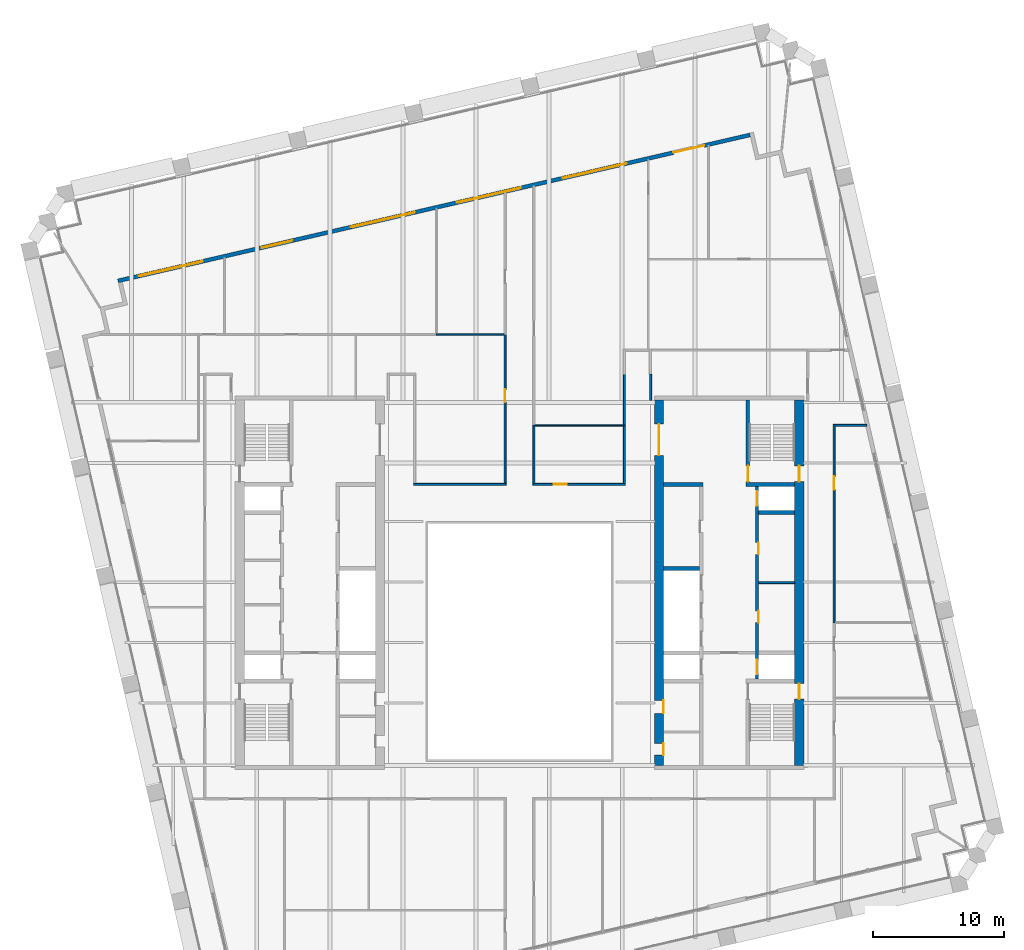
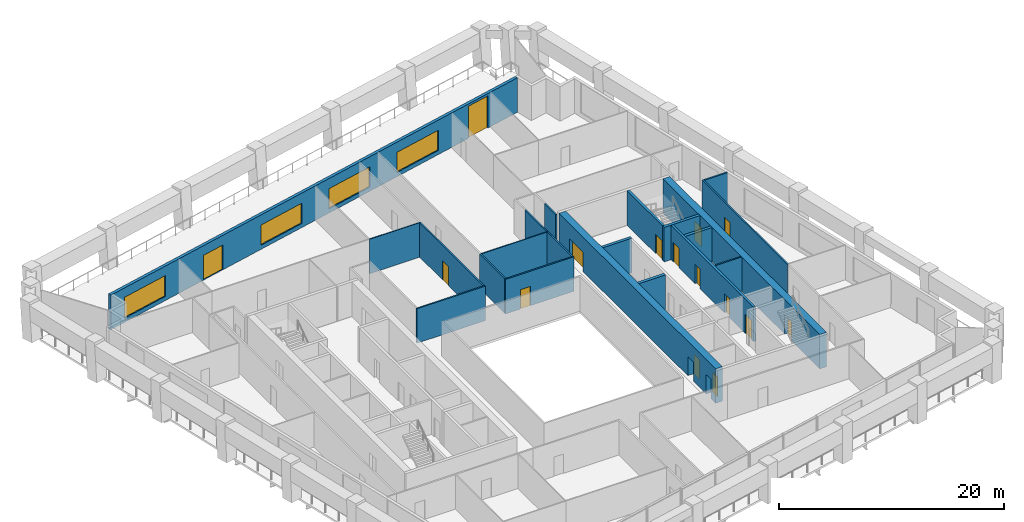
# One storey, part 10 of 14: 21 walls, 15 doors, 4 windows, 19 openings.
"""IFC4 building model written with IfcOpenShell, lengths in metres."""

from ifc_helpers import new_model, si_unit, direction, frame, frame_2d, origin, place, context, subcontext, project, spatial, rectangle, extrude, material, layer, layer_set, type_object, element, fill, save


model = new_model("IFC4")

# Units and contexts
model_context = context("Model", 3, precision=1e-05, world=origin(), true_north=direction((0.0, 1.0)))
body_context = subcontext(model_context, "Body", "Model", "MODEL_VIEW")
ifc_project = project(units=[si_unit("LENGTHUNIT", "METRE"), si_unit("AREAUNIT", "SQUARE_METRE"), si_unit("VOLUMEUNIT", "CUBIC_METRE"), si_unit("PLANEANGLEUNIT", "RADIAN"), si_unit("MASSUNIT", "GRAM", prefix="KILO")], contexts=[model_context])

# Site, building, storey
site_placement = place(None, origin())
site = spatial("IfcSite", under=ifc_project, at=site_placement, CompositionType="ELEMENT")
building_placement = place(site_placement, origin())
building = spatial("IfcBuilding", under=site, at=building_placement, Name="Ogive Exchange Tower", CompositionType="ELEMENT")
storey_placement = place(building_placement, frame((0.0, 0.0, 222.0)))
storey = spatial("IfcBuildingStorey", under=building, at=storey_placement, Name="L49", CompositionType="ELEMENT", Elevation=222.0)

# Walls
ifc_material_1 = material(Name="Gypsum board partition")
ifc_layer_1 = layer(ifc_material_1, 0.14990234375)
ifc_layer_set_1 = layer_set([ifc_layer_1], Name="Core room partition 150 gypsum")
wall_type_1 = type_object("IfcWallType", Name="Core room partition 150 gypsum", PredefinedType="PARTITIONING", material=ifc_layer_set_1)
wall_1_placement = place(storey_placement, frame((18.25, 11.5, 0.0), z_axis=(0.0, 0.0, 1.0), x_axis=(1.0, 0.0, 0.0)))
element("IfcWall", 1, at=wall_1_placement, inside=storey, type_object=wall_type_1, Name="E row A bay partition 1-1", PredefinedType="PARTITIONING", context=body_context, shape_type="SweptSolid", body=[
    extrude(rectangle(XDim=2.75, YDim=0.14990234375, at=frame_2d((1.375, 0.0))), origin(), (0.0, 0.0, 1.0), 3.75),
])
ifc_layer_2 = layer(ifc_material_1, 0.300048828125)
ifc_layer_set_2 = layer_set([ifc_layer_2], Name="Core room partition 300 gypsum")
wall_type_2 = type_object("IfcWallType", Name="Core room partition 300 gypsum", PredefinedType="PARTITIONING", material=ifc_layer_set_2)
wall_2_placement = place(storey_placement, frame((11.0, 19.0, 0.0), z_axis=(0.0, 0.0, 1.0), x_axis=(1.0, 0.0, 0.0)))
element("IfcWall", 2, at=wall_2_placement, inside=storey, type_object=wall_type_2, Name="E row B room end wall 7", PredefinedType="PARTITIONING", context=body_context, shape_type="SweptSolid", body=[
    extrude(rectangle(XDim=3.0, YDim=0.300048828125, at=frame_2d((1.5, 0.0))), origin(), (0.0, 0.0, 1.0), 3.75),
])
ifc_material_2 = material(Name="Fire partition EI 60 150")
ifc_layer_3 = layer(ifc_material_2, 0.14990234375)
ifc_layer_set_3 = layer_set([ifc_layer_3], Name="Fire partition EI 60 150")
wall_type_3 = type_object("IfcWallType", Name="Fire partition EI 60 150", PredefinedType="PARTITIONING", material=ifc_layer_set_3)
wall_3_placement = place(storey_placement, frame((-8.074951171875, 19.0, 0.0), z_axis=(0.0, 0.0, 1.0), x_axis=(1.0, 0.0, 0.0)))
element("IfcWall", 3, at=wall_3_placement, inside=storey, type_object=wall_type_3, Name="L49-PWL-026", PredefinedType="PARTITIONING", context=body_context, shape_type="SweptSolid", body=[
    extrude(rectangle(XDim=7.050048828125, YDim=0.14990234375, at=frame_2d((3.52490234375, 0.0))), origin(), (0.0, 0.0, 1.0), 3.75),
])

# Wall, opening, door
wall_4_placement = place(storey_placement, frame((-1.10009765625, 19.074951171875, 0.0), z_axis=(0.0, 0.0, 1.0), x_axis=(0.0, 1.0, 0.0)))
wall_4 = element("IfcWall", 4, at=wall_4_placement, inside=storey, type_object=wall_type_3, Name="L49-PWL-033", PredefinedType="PARTITIONING", context=body_context, shape_type="SweptSolid", body=[
    extrude(rectangle(XDim=11.39501953125, YDim=0.14990234375, at=frame_2d((5.697509765625, 0.0))), origin(), (0.0, 0.0, 1.0), 3.75),
])
opening_1_placement = place(wall_4_placement, frame((6.195068359375, 0.0, 0.0)))
opening_1 = element("IfcOpeningElement", 5, at=opening_1_placement, cuts=wall_4, Name="Opening L49-I05", PredefinedType="OPENING", context=body_context, shape_type="SweptSolid", body=[
    extrude(rectangle(XDim=1.0, YDim=2.10009765625, at=frame_2d((0.5, 1.050048828125))), frame((0.0, 0.0849609375, 0.0), z_axis=(0.0, -1.0, 0.0), x_axis=(1.0, 0.0, 0.0)), (0.0, 0.0, 1.0), 0.169921875),
])
ifc_material_3 = material(Name="Fire door FD 30S 1000 x 2100")
door_type_1 = type_object("IfcDoorType", Name="Fire door FD 30S 1000 x 2100", OperationType="NOTDEFINED", PredefinedType="DOOR", material=ifc_material_3)
door_1_placement = place(opening_1_placement, origin())
door_1 = element("IfcDoor", 6, at=door_1_placement, inside=storey, type_object=door_type_1, Name="L49-IDR-005", ObjectType="DT3", OperationType="SINGLE_SWING_LEFT", OverallHeight=2.10009765625, OverallWidth=1.0, PredefinedType="DOOR", context=body_context, shape_type="SweptSolid", body=[
    extrude(rectangle(XDim=1.0, YDim=2.10009765625, at=frame_2d((0.5, 1.050048828125))), frame((0.0, 0.02490234375, 0.0), z_axis=(0.0, -1.0, 0.0), x_axis=(1.0, 0.0, 0.0)), (0.0, 0.0, 1.0), 0.050048828125),
])
fill(opening_1, door_1)

wall_5_placement = place(storey_placement, frame((1.02490234375, 19.0, 0.0), z_axis=(0.0, 0.0, 1.0), x_axis=(1.0, 0.0, 0.0)))
wall_5 = element("IfcWall", 7, at=wall_5_placement, inside=storey, type_object=wall_type_3, Name="L49-PWL-037", PredefinedType="PARTITIONING", context=body_context, shape_type="SweptSolid", body=[
    extrude(rectangle(XDim=7.050048828125, YDim=0.14990234375, at=frame_2d((3.52490234375, 0.0))), origin(), (0.0, 0.0, 1.0), 3.75),
])
opening_2_placement = place(wall_5_placement, frame((1.574951171875, 0.0, 0.0)))
opening_2 = element("IfcOpeningElement", 8, at=opening_2_placement, cuts=wall_5, Name="Opening L49-I13", PredefinedType="OPENING", context=body_context, shape_type="SweptSolid", body=[
    extrude(rectangle(XDim=1.0, YDim=2.10009765625, at=frame_2d((0.5, 1.050048828125))), frame((0.0, 0.0849609375, 0.0), z_axis=(0.0, -1.0, 0.0), x_axis=(1.0, 0.0, 0.0)), (0.0, 0.0, 1.0), 0.169921875),
])
door_2_placement = place(opening_2_placement, origin())
door_2 = element("IfcDoor", 9, at=door_2_placement, inside=storey, type_object=door_type_1, Name="L49-IDR-013", ObjectType="DT3", OperationType="SINGLE_SWING_RIGHT", OverallHeight=2.10009765625, OverallWidth=1.0, PredefinedType="DOOR", context=body_context, shape_type="SweptSolid", body=[
    extrude(rectangle(XDim=1.0, YDim=2.10009765625, at=frame_2d((0.5, 1.050048828125))), frame((0.0, 0.02490234375, 0.0), z_axis=(0.0, -1.0, 0.0), x_axis=(1.0, 0.0, 0.0)), (0.0, 0.0, 1.0), 0.050048828125),
])
fill(opening_2, door_2)

# Walls
wall_6_placement = place(storey_placement, frame((1.10009765625, 23.489990234375, 0.0), z_axis=(0.0, 0.0, 1.0), x_axis=(0.0, -1.0, 0.0)))
element("IfcWall", 10, at=wall_6_placement, inside=storey, type_object=wall_type_3, Name="L49-PWL-038", PredefinedType="PARTITIONING", context=body_context, shape_type="SweptSolid", body=[
    extrude(rectangle(XDim=4.4150390625, YDim=0.14990234375, at=frame_2d((2.20751953125, 0.0))), origin(), (0.0, 0.0, 1.0), 3.75),
])
wall_7_placement = place(storey_placement, frame((8.0, 19.074951171875, 0.0), z_axis=(0.0, 0.0, 1.0), x_axis=(0.0, 1.0, 0.0)))
element("IfcWall", 11, at=wall_7_placement, inside=storey, type_object=wall_type_3, Name="L49-PWL-043", PredefinedType="PARTITIONING", context=body_context, shape_type="SweptSolid", body=[
    extrude(rectangle(XDim=4.364990234375, YDim=0.14990234375, at=frame_2d((2.1826171875, 0.0))), origin(), (0.0, 0.0, 1.0), 3.75),
])
wall_8_placement = place(storey_placement, frame((8.0, 23.5400390625, 0.0), z_axis=(0.0, 0.0, 1.0), x_axis=(0.0, 1.0, 0.0)))
element("IfcWall", 12, at=wall_8_placement, inside=storey, type_object=wall_type_3, Name="L49-PWL-044", PredefinedType="PARTITIONING", context=body_context, shape_type="SweptSolid", body=[
    extrude(rectangle(XDim=3.85986328125, YDim=0.14990234375, at=frame_2d((1.929931640625, 0.0))), origin(), (0.0, 0.0, 1.0), 3.75),
])
wall_9_placement = place(storey_placement, frame((10.0, 27.39990234375, 0.0), z_axis=(0.0, 0.0, 1.0), x_axis=(0.0, -1.0, 0.0)))
element("IfcWall", 13, at=wall_9_placement, inside=storey, type_object=wall_type_3, Name="L49-PWL-053", PredefinedType="PARTITIONING", context=body_context, shape_type="SweptSolid", body=[
    extrude(rectangle(XDim=2.0, YDim=0.14990234375, at=frame_2d((1.0, 0.0))), origin(), (0.0, 0.0, 1.0), 3.75),
])

# Wall, opening, door
wall_10_placement = place(storey_placement, frame((24.0, 23.56494140625, 0.0), z_axis=(0.0, 0.0, 1.0), x_axis=(0.0, -1.0, 0.0)))
wall_10 = element("IfcWall", 14, at=wall_10_placement, inside=storey, type_object=wall_type_3, Name="L49-PWL-064", PredefinedType="PARTITIONING", context=body_context, shape_type="SweptSolid", body=[
    extrude(rectangle(XDim=15.1650390625, YDim=0.14990234375, at=frame_2d((7.58251953125, 0.0))), origin(), (0.0, 0.0, 1.0), 3.75),
])
opening_3_placement = place(wall_10_placement, frame((3.965087890625, 0.0, 0.0)))
opening_3 = element("IfcOpeningElement", 15, at=opening_3_placement, cuts=wall_10, Name="Opening L49-I15", PredefinedType="OPENING", context=body_context, shape_type="SweptSolid", body=[
    extrude(rectangle(XDim=1.0, YDim=2.10009765625, at=frame_2d((0.5, 1.050048828125))), frame((0.0, 0.0849609375, 0.0), z_axis=(0.0, -1.0, 0.0), x_axis=(1.0, 0.0, 0.0)), (0.0, 0.0, 1.0), 0.169921875),
])
door_3_placement = place(opening_3_placement, origin())
door_3 = element("IfcDoor", 16, at=door_3_placement, inside=storey, type_object=door_type_1, Name="L49-IDR-015", ObjectType="DT3", OperationType="SINGLE_SWING_RIGHT", OverallHeight=2.10009765625, OverallWidth=1.0, PredefinedType="DOOR", context=body_context, shape_type="SweptSolid", body=[
    extrude(rectangle(XDim=1.0, YDim=2.10009765625, at=frame_2d((0.5, 1.050048828125))), frame((0.0, 0.02490234375, 0.0), z_axis=(0.0, -1.0, 0.0), x_axis=(1.0, 0.0, 0.0)), (0.0, 0.0, 1.0), 0.050048828125),
])
fill(opening_3, door_3)

# Wall
wall_11_placement = place(storey_placement, frame((26.487060546875, 23.489990234375, 0.0), z_axis=(0.0, 0.0, 1.0), x_axis=(-1.0, 0.0, 0.0)))
element("IfcWall", 17, at=wall_11_placement, inside=storey, type_object=wall_type_3, Name="L49-PWL-065", PredefinedType="PARTITIONING", context=body_context, shape_type="SweptSolid", body=[
    extrude(rectangle(XDim=2.412109375, YDim=0.14990234375, at=frame_2d((1.2060546875, 0.0))), origin(), (0.0, 0.0, 1.0), 3.75),
])

# Wall, openings, windows, doors
ifc_material_4 = material(Name="Precast concrete C40/50", Category="concrete")
ifc_layer_4 = layer(ifc_material_4, 0.300048828125)
ifc_layer_set_4 = layer_set([ifc_layer_4], Name="Limestone-faced wall 300")
wall_type_4 = type_object("IfcWallType", Name="Limestone-faced wall 300", PredefinedType="STANDARD", material=ifc_layer_set_4)
wall_12_placement = place(storey_placement, frame((17.592041015625, 45.6572265625, 0.0), z_axis=(0.0, 0.0, 1.0), x_axis=(-0.974370243697, -0.224950279389, 0.0)))
wall_12 = element("IfcWall", 18, at=wall_12_placement, inside=storey, type_object=wall_type_4, Name="External wall N4", PredefinedType="STANDARD", context=body_context, shape_type="SweptSolid", body=[
    extrude(rectangle(XDim=49.499755859375, YDim=0.300048828125, at=frame_2d((24.75, 0.0))), origin(), (0.0, 0.0, 1.0), 3.75),
])
opening_4_placement = place(wall_12_placement, frame((3.60009765625, 0.0, 0.0)))
opening_4 = element("IfcOpeningElement", 19, at=opening_4_placement, cuts=wall_12, Name="Opening D1", PredefinedType="OPENING", context=body_context, shape_type="SweptSolid", body=[
    extrude(rectangle(XDim=2.39990234375, YDim=3.5, at=frame_2d((1.199951171875, 1.75))), frame((0.0, 0.159912109375, 0.0), z_axis=(0.0, -1.0, 0.0), x_axis=(1.0, 0.0, 0.0)), (0.0, 0.0, 1.0), 0.320068359375),
])
opening_5_placement = place(wall_12_placement, frame((9.64990234375, 0.0, 0.449951171875)))
opening_5 = element("IfcOpeningElement", 20, at=opening_5_placement, cuts=wall_12, Name="Opening W2O", PredefinedType="OPENING", context=body_context, shape_type="SweptSolid", body=[
    extrude(rectangle(XDim=5.0, YDim=2.199951171875, at=frame_2d((2.5, 1.10009765625))), frame((0.0, 0.159912109375, 0.0), z_axis=(0.0, -1.0, 0.0), x_axis=(1.0, 0.0, 0.0)), (0.0, 0.0, 1.0), 0.320068359375),
])
opening_6_placement = place(wall_12_placement, frame((17.949951171875, 0.0, 0.449951171875)))
opening_6 = element("IfcOpeningElement", 21, at=opening_6_placement, cuts=wall_12, Name="Opening W2O", PredefinedType="OPENING", context=body_context, shape_type="SweptSolid", body=[
    extrude(rectangle(XDim=5.0, YDim=2.199951171875, at=frame_2d((2.5, 1.10009765625))), frame((0.0, 0.159912109375, 0.0), z_axis=(0.0, -1.0, 0.0), x_axis=(1.0, 0.0, 0.0)), (0.0, 0.0, 1.0), 0.320068359375),
])
opening_7_placement = place(wall_12_placement, frame((26.25, 0.0, 0.449951171875)))
opening_7 = element("IfcOpeningElement", 22, at=opening_7_placement, cuts=wall_12, Name="Opening W2O", PredefinedType="OPENING", context=body_context, shape_type="SweptSolid", body=[
    extrude(rectangle(XDim=5.0, YDim=2.199951171875, at=frame_2d((2.5, 1.10009765625))), frame((0.0, 0.159912109375, 0.0), z_axis=(0.0, -1.0, 0.0), x_axis=(1.0, 0.0, 0.0)), (0.0, 0.0, 1.0), 0.320068359375),
])
opening_8_placement = place(wall_12_placement, frame((35.85009765625, 0.0, 0.0)))
opening_8 = element("IfcOpeningElement", 23, at=opening_8_placement, cuts=wall_12, Name="Opening D1S", PredefinedType="OPENING", context=body_context, shape_type="SweptSolid", body=[
    extrude(rectangle(XDim=2.39990234375, YDim=2.699951171875, at=frame_2d((1.199951171875, 1.35009765625))), frame((0.0, 0.159912109375, 0.0), z_axis=(0.0, -1.0, 0.0), x_axis=(1.0, 0.0, 0.0)), (0.0, 0.0, 1.0), 0.320068359375),
])
opening_9_placement = place(wall_12_placement, frame((42.85009765625, 0.0, 0.449951171875)))
opening_9 = element("IfcOpeningElement", 24, at=opening_9_placement, cuts=wall_12, Name="Opening W2N", PredefinedType="OPENING", context=body_context, shape_type="SweptSolid", body=[
    extrude(rectangle(XDim=5.0, YDim=2.27490234375, at=frame_2d((2.5, 1.137451171875))), frame((0.0, 0.159912109375, 0.0), z_axis=(0.0, -1.0, 0.0), x_axis=(1.0, 0.0, 0.0)), (0.0, 0.0, 1.0), 0.320068359375),
])
ifc_material_5 = material(Name="Clear glass in bronze frame", Category="glass")
window_type_1 = type_object("IfcWindowType", Name="Executive lancet window 5000 x 2200", PartitioningType="DOUBLE_PANEL_VERTICAL", PredefinedType="WINDOW", material=ifc_material_5)
window_1_placement = place(opening_5_placement, origin())
window_1 = element("IfcWindow", 25, at=window_1_placement, inside=storey, type_object=window_type_1, Name="Window N01", OverallHeight=2.199951171875, OverallWidth=5.0, PartitioningType="DOUBLE_PANEL_VERTICAL", PredefinedType="WINDOW", context=body_context, shape_type="SweptSolid", body=[
    extrude(rectangle(XDim=5.0, YDim=2.199951171875, at=frame_2d((2.5, 1.10009765625))), frame((0.0, 0.030029296875, 0.0), z_axis=(0.0, -1.0, 0.0), x_axis=(1.0, 0.0, 0.0)), (0.0, 0.0, 1.0), 0.06005859375),
])
fill(opening_5, window_1)
window_2_placement = place(opening_6_placement, origin())
window_2 = element("IfcWindow", 26, at=window_2_placement, inside=storey, type_object=window_type_1, Name="Window N02", OverallHeight=2.199951171875, OverallWidth=5.0, PartitioningType="DOUBLE_PANEL_VERTICAL", PredefinedType="WINDOW", context=body_context, shape_type="SweptSolid", body=[
    extrude(rectangle(XDim=5.0, YDim=2.199951171875, at=frame_2d((2.5, 1.10009765625))), frame((0.0, 0.030029296875, 0.0), z_axis=(0.0, -1.0, 0.0), x_axis=(1.0, 0.0, 0.0)), (0.0, 0.0, 1.0), 0.06005859375),
])
fill(opening_6, window_2)
window_3_placement = place(opening_7_placement, origin())
window_3 = element("IfcWindow", 27, at=window_3_placement, inside=storey, type_object=window_type_1, Name="Window N03", OverallHeight=2.199951171875, OverallWidth=5.0, PartitioningType="DOUBLE_PANEL_VERTICAL", PredefinedType="WINDOW", context=body_context, shape_type="SweptSolid", body=[
    extrude(rectangle(XDim=5.0, YDim=2.199951171875, at=frame_2d((2.5, 1.10009765625))), frame((0.0, 0.030029296875, 0.0), z_axis=(0.0, -1.0, 0.0), x_axis=(1.0, 0.0, 0.0)), (0.0, 0.0, 1.0), 0.06005859375),
])
fill(opening_7, window_3)
window_type_2 = type_object("IfcWindowType", Name="Executive lancet window 5000 x 2275", PartitioningType="DOUBLE_PANEL_VERTICAL", PredefinedType="WINDOW", material=ifc_material_5)
window_4_placement = place(opening_9_placement, origin())
window_4 = element("IfcWindow", 28, at=window_4_placement, inside=storey, type_object=window_type_2, Name="Window N05", OverallHeight=2.27490234375, OverallWidth=5.0, PartitioningType="DOUBLE_PANEL_VERTICAL", PredefinedType="WINDOW", context=body_context, shape_type="SweptSolid", body=[
    extrude(rectangle(XDim=5.0, YDim=2.27490234375, at=frame_2d((2.5, 1.137451171875))), frame((0.0, 0.030029296875, 0.0), z_axis=(0.0, -1.0, 0.0), x_axis=(1.0, 0.0, 0.0)), (0.0, 0.0, 1.0), 0.06005859375),
])
fill(opening_9, window_4)
door_type_2 = type_object("IfcDoorType", Name="Sliding loggia door 2400 x 2700", OperationType="DOUBLE_DOOR_SLIDING", PredefinedType="DOOR", material=ifc_material_5)
door_4_placement = place(opening_8_placement, origin())
door_4 = element("IfcDoor", 29, at=door_4_placement, inside=storey, type_object=door_type_2, Name="Loggia door N04", OperationType="DOUBLE_DOOR_SLIDING", OverallHeight=2.699951171875, OverallWidth=2.39990234375, PredefinedType="DOOR", context=body_context, shape_type="SweptSolid", body=[
    extrude(rectangle(XDim=2.39990234375, YDim=2.699951171875, at=frame_2d((1.199951171875, 1.35009765625))), frame((0.0, 0.02490234375, 0.0), z_axis=(0.0, -1.0, 0.0), x_axis=(1.0, 0.0, 0.0)), (0.0, 0.0, 1.0), 0.050048828125),
])
fill(opening_8, door_4)
door_type_3 = type_object("IfcDoorType", Name="Sliding loggia door 2400 x 3500", OperationType="DOUBLE_DOOR_SLIDING", PredefinedType="DOOR", material=ifc_material_5)
door_5_placement = place(opening_4_placement, origin())
door_5 = element("IfcDoor", 30, at=door_5_placement, inside=storey, type_object=door_type_3, Name="Loggia door N00", OperationType="DOUBLE_DOOR_SLIDING", OverallHeight=3.5, OverallWidth=2.39990234375, PredefinedType="DOOR", context=body_context, shape_type="SweptSolid", body=[
    extrude(rectangle(XDim=2.39990234375, YDim=3.5, at=frame_2d((1.199951171875, 1.75))), frame((0.0, 0.02490234375, 0.0), z_axis=(0.0, -1.0, 0.0), x_axis=(1.0, 0.0, 0.0)), (0.0, 0.0, 1.0), 0.050048828125),
])
fill(opening_4, door_5)

# Walls
ifc_material_6 = material(Name="Partition 100 gypsum")
ifc_layer_5 = layer(ifc_material_6, 0.10009765625)
ifc_layer_set_5 = layer_set([ifc_layer_5], Name="Partition 100 gypsum")
wall_type_5 = type_object("IfcWallType", Name="Partition 100 gypsum", PredefinedType="PARTITIONING", material=ifc_layer_set_5)
wall_13_placement = place(storey_placement, frame((-1.175048828125, 30.419921875, 0.0), z_axis=(0.0, 0.0, 1.0), x_axis=(-1.0, 0.0, 0.0)))
element("IfcWall", 31, at=wall_13_placement, inside=storey, type_object=wall_type_5, Name="L49-PWL-034", PredefinedType="PARTITIONING", context=body_context, shape_type="SweptSolid", body=[
    extrude(rectangle(XDim=5.1650390625, YDim=0.10009765625, at=frame_2d((2.58251953125, 0.0))), origin(), (0.0, 0.0, 1.0), 3.75),
])
wall_14_placement = place(storey_placement, frame((1.175048828125, 23.489990234375, 0.0), z_axis=(0.0, 0.0, 1.0), x_axis=(1.0, 0.0, 0.0)))
element("IfcWall", 32, at=wall_14_placement, inside=storey, type_object=wall_type_5, Name="L49-PWL-039", PredefinedType="PARTITIONING", context=body_context, shape_type="SweptSolid", body=[
    extrude(rectangle(XDim=6.89990234375, YDim=0.10009765625, at=frame_2d((3.449951171875, 0.0))), origin(), (0.0, 0.0, 1.0), 3.75),
])

# Wall, opening, door
ifc_material_7 = material(Name="Concrete C70/85", Category="concrete")
ifc_layer_6 = layer(ifc_material_7, 0.25)
ifc_layer_set_6 = layer_set([ifc_layer_6], Name="RC core wall 250 C70/85")
wall_type_6 = type_object("IfcWallType", Name="RC core wall 250 C70/85", PredefinedType="SHEAR", material=ifc_layer_set_6)
wall_15_placement = place(storey_placement, frame((17.425048828125, 19.14990234375, 0.0), z_axis=(0.0, 0.0, 1.0), x_axis=(0.0, 1.0, 0.0)))
wall_15 = element("IfcWall", 33, at=wall_15_placement, inside=storey, type_object=wall_type_6, Name="E stair N front wall", PredefinedType="SHEAR", context=body_context, shape_type="SweptSolid", body=[
    extrude(rectangle(XDim=6.300048828125, YDim=0.25, at=frame_2d((3.14990234375, 0.0))), origin(), (0.0, 0.0, 1.0), 3.75),
])
opening_10_placement = place(wall_15_placement, frame((0.050048828125, 0.0, 0.0)))
opening_10 = element("IfcOpeningElement", 34, at=opening_10_placement, cuts=wall_15, Name="Opening L49-C32", PredefinedType="OPENING", context=body_context, shape_type="SweptSolid", body=[
    extrude(rectangle(XDim=1.199951171875, YDim=2.10009765625, at=frame_2d((0.60009765625, 1.050048828125))), frame((0.0, 0.135009765625, 0.0), z_axis=(0.0, -1.0, 0.0), x_axis=(1.0, 0.0, 0.0)), (0.0, 0.0, 1.0), 0.27001953125),
])
ifc_material_8 = material(Name="Steel fire door", Category="steel")
door_type_4 = type_object("IfcDoorType", Name="Stair door FD90 1200 x 2100", OperationType="NOTDEFINED", PredefinedType="DOOR", material=ifc_material_8)
door_6_placement = place(opening_10_placement, frame((1.199951171875, 0.0, 0.0), z_axis=(0.0, 0.0, 1.0), x_axis=(-1.0, 0.0, 0.0)))
door_6 = element("IfcDoor", 35, at=door_6_placement, inside=storey, type_object=door_type_4, Name="Stair door", ObjectType="CD5", OperationType="SINGLE_SWING_LEFT", OverallHeight=2.10009765625, OverallWidth=1.199951171875, PredefinedType="DOOR", context=body_context, shape_type="SweptSolid", body=[
    extrude(rectangle(XDim=1.199951171875, YDim=2.10009765625, at=frame_2d((0.60009765625, 1.050048828125))), frame((0.0, 0.02490234375, 0.0), z_axis=(0.0, -1.0, 0.0), x_axis=(1.0, 0.0, 0.0)), (0.0, 0.0, 1.0), 0.050048828125),
])
fill(opening_10, door_6)

# Wall, openings, doors
wall_16_placement = place(storey_placement, frame((18.125, 4.14990234375, 0.0), z_axis=(0.0, 0.0, 1.0), x_axis=(0.0, 1.0, 0.0)))
wall_16 = element("IfcWall", 36, at=wall_16_placement, inside=storey, type_object=wall_type_6, Name="E row A front wall", PredefinedType="SHEAR", context=body_context, shape_type="SweptSolid", body=[
    extrude(rectangle(XDim=14.7001953125, YDim=0.25, at=frame_2d((7.35009765625, 0.0))), origin(), (0.0, 0.0, 1.0), 3.75),
])
opening_11_placement = place(wall_16_placement, frame((4.29638671875, 0.0, 0.0)))
opening_11 = element("IfcOpeningElement", 37, at=opening_11_placement, cuts=wall_16, Name="Opening L49-C19", PredefinedType="OPENING", context=body_context, shape_type="SweptSolid", body=[
    extrude(rectangle(XDim=0.89990234375, YDim=2.10009765625, at=frame_2d((0.449951171875, 1.050048828125))), frame((0.0, 0.135009765625, 0.0), z_axis=(0.0, -1.0, 0.0), x_axis=(1.0, 0.0, 0.0)), (0.0, 0.0, 1.0), 0.27001953125),
])
opening_12_placement = place(wall_16_placement, frame((9.503662109375, 0.0, 0.0)))
opening_12 = element("IfcOpeningElement", 38, at=opening_12_placement, cuts=wall_16, Name="Opening L49-C20", PredefinedType="OPENING", context=body_context, shape_type="SweptSolid", body=[
    extrude(rectangle(XDim=0.89990234375, YDim=2.10009765625, at=frame_2d((0.449951171875, 1.050048828125))), frame((0.0, 0.135009765625, 0.0), z_axis=(0.0, -1.0, 0.0), x_axis=(1.0, 0.0, 0.0)), (0.0, 0.0, 1.0), 0.27001953125),
])
opening_13_placement = place(wall_16_placement, frame((0.371337890625, 0.0, 0.0)))
opening_13 = element("IfcOpeningElement", 39, at=opening_13_placement, cuts=wall_16, Name="Opening L49-C21", PredefinedType="OPENING", context=body_context, shape_type="SweptSolid", body=[
    extrude(rectangle(XDim=1.10009765625, YDim=2.10009765625, at=frame_2d((0.550048828125, 1.050048828125))), frame((0.0, 0.135009765625, 0.0), z_axis=(0.0, -1.0, 0.0), x_axis=(1.0, 0.0, 0.0)), (0.0, 0.0, 1.0), 0.27001953125),
])
opening_14_placement = place(wall_16_placement, frame((13.228515625, 0.0, 0.0)))
opening_14 = element("IfcOpeningElement", 40, at=opening_14_placement, cuts=wall_16, Name="Opening L49-C22", PredefinedType="OPENING", context=body_context, shape_type="SweptSolid", body=[
    extrude(rectangle(XDim=1.10009765625, YDim=2.10009765625, at=frame_2d((0.550048828125, 1.050048828125))), frame((0.0, 0.135009765625, 0.0), z_axis=(0.0, -1.0, 0.0), x_axis=(1.0, 0.0, 0.0)), (0.0, 0.0, 1.0), 0.27001953125),
])
ifc_material_9 = material(Name="Stainless steel", Category="steel")
door_type_5 = type_object("IfcDoorType", Name="Lift landing door FD90 1100 x 2100", OperationType="SLIDING_TO_LEFT", PredefinedType="DOOR", material=ifc_material_9)
door_7_placement = place(opening_13_placement, origin())
door_7 = element("IfcDoor", 41, at=door_7_placement, inside=storey, type_object=door_type_5, Name="Lift landing door FF2", ObjectType="LD", OperationType="SLIDING_TO_LEFT", OverallHeight=2.10009765625, OverallWidth=1.10009765625, PredefinedType="DOOR", context=body_context, shape_type="SweptSolid", body=[
    extrude(rectangle(XDim=1.10009765625, YDim=2.10009765625, at=frame_2d((0.550048828125, 1.050048828125))), frame((0.0, 0.02490234375, 0.0), z_axis=(0.0, -1.0, 0.0), x_axis=(1.0, 0.0, 0.0)), (0.0, 0.0, 1.0), 0.050048828125),
])
fill(opening_13, door_7)
door_8_placement = place(opening_14_placement, origin())
door_8 = element("IfcDoor", 42, at=door_8_placement, inside=storey, type_object=door_type_5, Name="Lift landing door E-SH2", ObjectType="LD", OperationType="SLIDING_TO_LEFT", OverallHeight=2.10009765625, OverallWidth=1.10009765625, PredefinedType="DOOR", context=body_context, shape_type="SweptSolid", body=[
    extrude(rectangle(XDim=1.10009765625, YDim=2.10009765625, at=frame_2d((0.550048828125, 1.050048828125))), frame((0.0, 0.02490234375, 0.0), z_axis=(0.0, -1.0, 0.0), x_axis=(1.0, 0.0, 0.0)), (0.0, 0.0, 1.0), 0.050048828125),
])
fill(opening_14, door_8)
door_type_6 = type_object("IfcDoorType", Name="Riser door FD60 900 x 2100", OperationType="NOTDEFINED", PredefinedType="DOOR", material=ifc_material_8)
door_9_placement = place(opening_11_placement, frame((0.89990234375, -0.2001953125, 0.0), z_axis=(0.0, 0.0, 1.0), x_axis=(-1.0, 0.0, 0.0)))
door_9 = element("IfcDoor", 43, at=door_9_placement, inside=storey, type_object=door_type_6, Name="Riser door", ObjectType="CD2", OperationType="SINGLE_SWING_RIGHT", OverallHeight=2.10009765625, OverallWidth=0.89990234375, PredefinedType="DOOR", context=body_context, shape_type="SweptSolid", body=[
    extrude(rectangle(XDim=0.89990234375, YDim=2.10009765625, at=frame_2d((0.449951171875, 1.050048828125))), frame((0.0, -0.0751953125, 0.0), z_axis=(0.0, -1.0, 0.0), x_axis=(1.0, 0.0, 0.0)), (0.0, 0.0, 1.0), 0.050048828125),
])
fill(opening_11, door_9)
door_10_placement = place(opening_12_placement, frame((0.89990234375, -0.2001953125, 0.0), z_axis=(0.0, 0.0, 1.0), x_axis=(-1.0, 0.0, 0.0)))
door_10 = element("IfcDoor", 44, at=door_10_placement, inside=storey, type_object=door_type_6, Name="Riser door", ObjectType="CD2", OperationType="SINGLE_SWING_LEFT", OverallHeight=2.10009765625, OverallWidth=0.89990234375, PredefinedType="DOOR", context=body_context, shape_type="SweptSolid", body=[
    extrude(rectangle(XDim=0.89990234375, YDim=2.10009765625, at=frame_2d((0.449951171875, 1.050048828125))), frame((0.0, -0.0751953125, 0.0), z_axis=(0.0, -1.0, 0.0), x_axis=(1.0, 0.0, 0.0)), (0.0, 0.0, 1.0), 0.050048828125),
])
fill(opening_12, door_10)

# Walls
ifc_layer_7 = layer(ifc_material_7, 0.300048828125)
ifc_layer_set_7 = layer_set([ifc_layer_7], Name="RC core wall 300 C70/85")
wall_type_7 = type_object("IfcWallType", Name="RC core wall 300 C70/85", PredefinedType="SHEAR", material=ifc_layer_set_7)
wall_17_placement = place(storey_placement, frame((17.300048828125, 19.0, 0.0), z_axis=(0.0, 0.0, 1.0), x_axis=(1.0, 0.0, 0.0)))
element("IfcWall", 45, at=wall_17_placement, inside=storey, type_object=wall_type_7, Name="E stair N south wall", PredefinedType="SHEAR", context=body_context, shape_type="SweptSolid", body=[
    extrude(rectangle(XDim=3.699951171875, YDim=0.300048828125, at=frame_2d((1.85009765625, 0.0))), origin(), (0.0, 0.0, 1.0), 3.75),
])
for number, where, z_axis, x_axis, name in (
    (46, (18.25, 16.857177734375, 0.0), (0.0, 0.0, 1.0), (1.0, 0.0, 0.0), "E row A divider 6"),
    (47, (11.0, 12.5712890625, 0.0), (0.0, 0.0, 1.0), (1.0, 0.0, 0.0), "E row B divider 4"),
):
    element("IfcWall", number, at=place(storey_placement, frame(where, z_axis=z_axis, x_axis=x_axis)), inside=storey, type_object=wall_type_7, Name=name, PredefinedType="SHEAR", context=body_context, shape_type="SweptSolid", body=[
        extrude(rectangle(XDim=2.75, YDim=0.300048828125, at=frame_2d((1.375, 0.0))), origin(), (0.0, 0.0, 1.0), 3.75),
    ])

# Wall, openings, doors
ifc_layer_8 = layer(ifc_material_7, 0.699951171875)
ifc_layer_set_8 = layer_set([ifc_layer_8], Name="RC core wall 700 C70/85")
wall_type_8 = type_object("IfcWallType", Name="RC core wall 700 C70/85", PredefinedType="SHEAR", material=ifc_layer_set_8)
wall_18_placement = place(storey_placement, frame((21.35009765625, -2.449951171875, 0.0), z_axis=(0.0, 0.0, 1.0), x_axis=(0.0, 1.0, 0.0)))
wall_18 = element("IfcWall", 48, at=wall_18_placement, inside=storey, type_object=wall_type_8, Name="E outer wall", PredefinedType="SHEAR", context=body_context, shape_type="SweptSolid", body=[
    extrude(rectangle(XDim=27.89990234375, YDim=0.699951171875, at=frame_2d((13.949951171875, 0.0))), origin(), (0.0, 0.0, 1.0), 3.75),
])
opening_15_placement = place(wall_18_placement, frame((5.050048828125, 0.0, 0.0)))
opening_15 = element("IfcOpeningElement", 49, at=opening_15_placement, cuts=wall_18, Name="Opening L49-C31", PredefinedType="OPENING", context=body_context, shape_type="SweptSolid", body=[
    extrude(rectangle(XDim=1.199951171875, YDim=2.10009765625, at=frame_2d((0.60009765625, 1.050048828125))), frame((0.0, 0.35986328125, 0.0), z_axis=(0.0, -1.0, 0.0), x_axis=(1.0, 0.0, 0.0)), (0.0, 0.0, 1.0), 0.719970703125),
])
opening_16_placement = place(wall_18_placement, frame((21.64990234375, 0.0, 0.0)))
opening_16 = element("IfcOpeningElement", 50, at=opening_16_placement, cuts=wall_18, Name="Opening L49-C33", PredefinedType="OPENING", context=body_context, shape_type="SweptSolid", body=[
    extrude(rectangle(XDim=1.199951171875, YDim=2.10009765625, at=frame_2d((0.60009765625, 1.050048828125))), frame((0.0, 0.35986328125, 0.0), z_axis=(0.0, -1.0, 0.0), x_axis=(1.0, 0.0, 0.0)), (0.0, 0.0, 1.0), 0.719970703125),
])
door_11_placement = place(opening_15_placement, origin())
door_11 = element("IfcDoor", 51, at=door_11_placement, inside=storey, type_object=door_type_4, Name="Stair door", ObjectType="CD5", OperationType="SINGLE_SWING_LEFT", OverallHeight=2.10009765625, OverallWidth=1.199951171875, PredefinedType="DOOR", context=body_context, shape_type="SweptSolid", body=[
    extrude(rectangle(XDim=1.199951171875, YDim=2.10009765625, at=frame_2d((0.60009765625, 1.050048828125))), frame((0.0, 0.02490234375, 0.0), z_axis=(0.0, -1.0, 0.0), x_axis=(1.0, 0.0, 0.0)), (0.0, 0.0, 1.0), 0.050048828125),
])
fill(opening_15, door_11)
door_12_placement = place(opening_16_placement, origin())
door_12 = element("IfcDoor", 52, at=door_12_placement, inside=storey, type_object=door_type_4, Name="Stair door", ObjectType="CD5", OperationType="SINGLE_SWING_RIGHT", OverallHeight=2.10009765625, OverallWidth=1.199951171875, PredefinedType="DOOR", context=body_context, shape_type="SweptSolid", body=[
    extrude(rectangle(XDim=1.199951171875, YDim=2.10009765625, at=frame_2d((0.60009765625, 1.050048828125))), frame((0.0, 0.02490234375, 0.0), z_axis=(0.0, -1.0, 0.0), x_axis=(1.0, 0.0, 0.0)), (0.0, 0.0, 1.0), 0.050048828125),
])
fill(opening_16, door_12)

wall_19_placement = place(storey_placement, frame((10.64990234375, -2.449951171875, 0.0), z_axis=(0.0, 0.0, 1.0), x_axis=(0.0, 1.0, 0.0)))
wall_19 = element("IfcWall", 53, at=wall_19_placement, inside=storey, type_object=wall_type_8, Name="E inner wall", PredefinedType="SHEAR", context=body_context, shape_type="SweptSolid", body=[
    extrude(rectangle(XDim=27.89990234375, YDim=0.699951171875, at=frame_2d((13.949951171875, 0.0))), origin(), (0.0, 0.0, 1.0), 3.75),
])
opening_17_placement = place(wall_19_placement, frame((23.64990234375, 0.0, 0.0)))
opening_17 = element("IfcOpeningElement", 54, at=opening_17_placement, cuts=wall_19, Name="Opening L49-C29", PredefinedType="OPENING", context=body_context, shape_type="SweptSolid", body=[
    extrude(rectangle(XDim=2.39990234375, YDim=2.10009765625, at=frame_2d((1.199951171875, 1.050048828125))), frame((0.0, 0.35986328125, 0.0), z_axis=(0.0, -1.0, 0.0), x_axis=(1.0, 0.0, 0.0)), (0.0, 0.0, 1.0), 0.719970703125),
])
opening_18_placement = place(wall_19_placement, frame((0.78759765625, 0.0, 0.0)))
opening_18 = element("IfcOpeningElement", 55, at=opening_18_placement, cuts=wall_19, Name="Opening L49-C34", PredefinedType="OPENING", context=body_context, shape_type="SweptSolid", body=[
    extrude(rectangle(XDim=0.89990234375, YDim=2.10009765625, at=frame_2d((0.449951171875, 1.050048828125))), frame((0.0, 0.35986328125, 0.0), z_axis=(0.0, -1.0, 0.0), x_axis=(1.0, 0.0, 0.0)), (0.0, 0.0, 1.0), 0.719970703125),
])
opening_19_placement = place(wall_19_placement, frame((3.96240234375, 0.0, 0.0)))
opening_19 = element("IfcOpeningElement", 56, at=opening_19_placement, cuts=wall_19, Name="Opening L49-C35", PredefinedType="OPENING", context=body_context, shape_type="SweptSolid", body=[
    extrude(rectangle(XDim=1.0, YDim=2.10009765625, at=frame_2d((0.5, 1.050048828125))), frame((0.0, 0.35986328125, 0.0), z_axis=(0.0, -1.0, 0.0), x_axis=(1.0, 0.0, 0.0)), (0.0, 0.0, 1.0), 0.719970703125),
])
ifc_material_10 = material(Name="Timber fire door", Category="wood")
door_type_7 = type_object("IfcDoorType", Name="Accessible WC door FD30S 1000 x 2100", OperationType="NOTDEFINED", PredefinedType="DOOR", material=ifc_material_10)
door_13_placement = place(opening_19_placement, frame((1.0, -0.64990234375, 0.0), z_axis=(0.0, 0.0, 1.0), x_axis=(-1.0, 0.0, 0.0)))
door_13 = element("IfcDoor", 57, at=door_13_placement, inside=storey, type_object=door_type_7, Name="Accessible WC door", ObjectType="CD7", OperationType="SINGLE_SWING_LEFT", OverallHeight=2.10009765625, OverallWidth=1.0, PredefinedType="DOOR", context=body_context, shape_type="SweptSolid", body=[
    extrude(rectangle(XDim=1.0, YDim=2.10009765625, at=frame_2d((0.5, 1.050048828125))), frame((0.0, -0.2998046875, 0.0), z_axis=(0.0, -1.0, 0.0), x_axis=(1.0, 0.0, 0.0)), (0.0, 0.0, 1.0), 0.050048828125),
])
fill(opening_19, door_13)
door_type_8 = type_object("IfcDoorType", Name="Core room door FD30S 900 x 2100", OperationType="NOTDEFINED", PredefinedType="DOOR", material=ifc_material_10)
door_14_placement = place(opening_18_placement, frame((0.89990234375, -0.64990234375, 0.0), z_axis=(0.0, 0.0, 1.0), x_axis=(-1.0, 0.0, 0.0)))
door_14 = element("IfcDoor", 58, at=door_14_placement, inside=storey, type_object=door_type_8, Name="Core room door", ObjectType="CD6", OperationType="SINGLE_SWING_LEFT", OverallHeight=2.10009765625, OverallWidth=0.89990234375, PredefinedType="DOOR", context=body_context, shape_type="SweptSolid", body=[
    extrude(rectangle(XDim=0.89990234375, YDim=2.10009765625, at=frame_2d((0.449951171875, 1.050048828125))), frame((0.0, -0.2998046875, 0.0), z_axis=(0.0, -1.0, 0.0), x_axis=(1.0, 0.0, 0.0)), (0.0, 0.0, 1.0), 0.050048828125),
])
fill(opening_18, door_14)
ifc_material_11 = material(Name="Glazed steel fire door", Category="steel")
door_type_9 = type_object("IfcDoorType", Name="Lift lobby double door FD60 2400 x 2100", OperationType="DOUBLE_DOOR_SINGLE_SWING", PredefinedType="DOOR", material=ifc_material_11)
door_15_placement = place(opening_17_placement, origin())
door_15 = element("IfcDoor", 59, at=door_15_placement, inside=storey, type_object=door_type_9, Name="Lift lobby double door", ObjectType="CD4", OperationType="DOUBLE_DOOR_SINGLE_SWING", OverallHeight=2.10009765625, OverallWidth=2.39990234375, PredefinedType="DOOR", context=body_context, shape_type="SweptSolid", body=[
    extrude(rectangle(XDim=2.39990234375, YDim=2.10009765625, at=frame_2d((1.199951171875, 1.050048828125))), frame((0.0, 0.02490234375, 0.0), z_axis=(0.0, -1.0, 0.0), x_axis=(1.0, 0.0, 0.0)), (0.0, 0.0, 1.0), 0.050048828125),
])
fill(opening_17, door_15)

save(model, "model.ifc")
